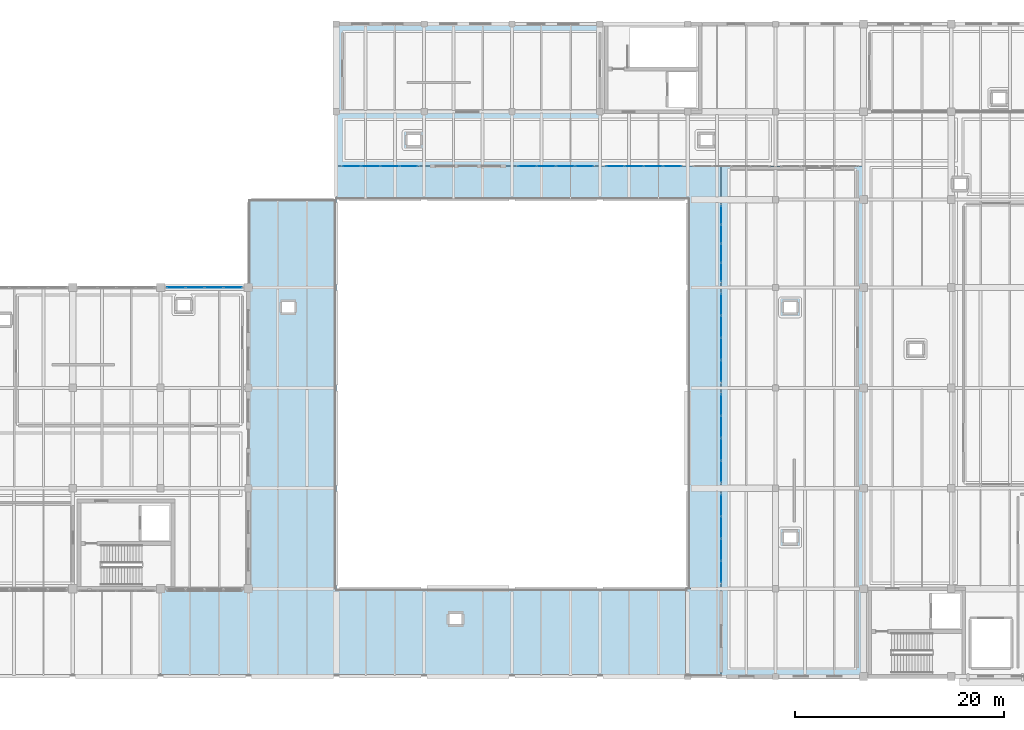
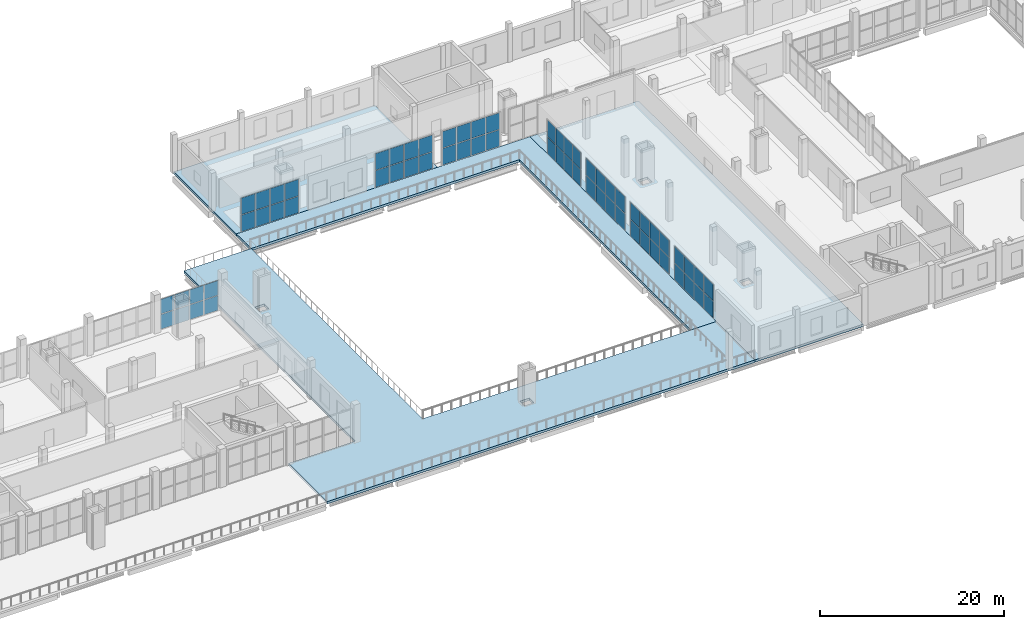
# One storey, part 53 of 77: 64 plates, 4 slabs, 8 elements without a shape of their own.
"""IFC4 building model written with IfcOpenShell, lengths in metres."""

from ifc_helpers import new_model, si_unit, direction, frame, origin, origin_2d, place, context, subcontext, project, spatial, polyline, rectangle, outline, extrude, material, layer, layer_set, type_object, element, aggregate, save


model = new_model("IFC4")

# Units and contexts
model_context = context("Model", 3, precision=1e-05, world=origin(), true_north=direction((0.0, 1.0)))
body_context = subcontext(model_context, "Body", "Model", "MODEL_VIEW")
ifc_project = project(units=[si_unit("LENGTHUNIT", "METRE"), si_unit("AREAUNIT", "SQUARE_METRE"), si_unit("VOLUMEUNIT", "CUBIC_METRE"), si_unit("PLANEANGLEUNIT", "RADIAN"), si_unit("MASSUNIT", "GRAM", prefix="KILO")], contexts=[model_context])

# Site, building, storey
site_placement = place(None, origin())
site = spatial("IfcSite", under=ifc_project, at=site_placement, CompositionType="ELEMENT")
building_placement = place(site_placement, origin())
building = spatial("IfcBuilding", under=site, at=building_placement, Name="Zulmaris Art Gallery", CompositionType="ELEMENT")
storey_placement = place(building_placement, frame((0.0, 0.0, 15.60009765625)))
storey = spatial("IfcBuildingStorey", under=building, at=storey_placement, Name="L03", CompositionType="ELEMENT", Elevation=15.60009765625)

# Curtain wall, plates
ifc_material_1 = material(Name="Unitised Low-E Gallery Curtain Wall", Category="aluminium")
ifc_layer_1 = layer(ifc_material_1, 0.179931640625)
ifc_layer_set_1 = layer_set([ifc_layer_1], Name="Unitised Low-E Gallery Curtain Wall")
curtain_wall_type = type_object("IfcCurtainWallType", Name="CW-CW01", PredefinedType="NOTDEFINED", material=ifc_layer_set_1)
curtain_wall_1_placement = place(storey_placement, origin())
curtain_wall_1 = element("IfcCurtainWall", 1, at=curtain_wall_1_placement, inside=storey, type_object=curtain_wall_type, Name="L03 curtain wall 15", PredefinedType="NOTDEFINED")
ifc_material_2 = material(Name="Triple Solar-Control Laminated Glass", Category="glass")
ifc_layer_2 = layer(ifc_material_2, 0.035888671875)
ifc_layer_set_2 = layer_set([ifc_layer_2], Name="Triple Solar-Control Laminated Glass")
plate_type = type_object("IfcPlateType", Name="CWPAN-GLZ", PredefinedType="CURTAIN_PANEL", material=ifc_layer_set_2)
plate_1_placement = place(storey_placement, frame((81.326171875, 50.39990234375, 0.074951171875), z_axis=(0.0, 0.0, 1.0), x_axis=(-1.0, 0.0, 0.0)))
plate_1 = element("IfcPlate", 2, at=plate_1_placement, type_object=plate_type, Name="CW01 panel 1.1", PredefinedType="CURTAIN_PANEL", context=body_context, shape_type="SweptSolid", body=[
    extrude(rectangle(XDim=1.717529296875, YDim=0.031982421875, at=origin_2d()), origin(), (0.0, 0.0, 1.0), 1.9423828125),
])
plate_2_placement = place(storey_placement, frame((81.326171875, 50.39990234375, 2.092529296875), z_axis=(0.0, 0.0, 1.0), x_axis=(-1.0, 0.0, 0.0)))
plate_2 = element("IfcPlate", 3, at=plate_2_placement, type_object=plate_type, Name="CW01 panel 1.2", PredefinedType="CURTAIN_PANEL", context=body_context, shape_type="SweptSolid", body=[
    extrude(rectangle(XDim=1.717529296875, YDim=0.031982421875, at=origin_2d()), origin(), (0.0, 0.0, 1.0), 1.9423828125),
])
plate_3_placement = place(storey_placement, frame((79.514892578125, 50.39990234375, 0.074951171875), z_axis=(0.0, 0.0, 1.0), x_axis=(-1.0, 0.0, 0.0)))
plate_3 = element("IfcPlate", 4, at=plate_3_placement, type_object=plate_type, Name="CW01 panel 2.1", PredefinedType="CURTAIN_PANEL", context=body_context, shape_type="SweptSolid", body=[
    extrude(rectangle(XDim=1.7548828125, YDim=0.031982421875, at=origin_2d()), origin(), (0.0, 0.0, 1.0), 1.9423828125),
])
plate_4_placement = place(storey_placement, frame((79.514892578125, 50.39990234375, 2.092529296875), z_axis=(0.0, 0.0, 1.0), x_axis=(-1.0, 0.0, 0.0)))
plate_4 = element("IfcPlate", 5, at=plate_4_placement, type_object=plate_type, Name="CW01 panel 2.2", PredefinedType="CURTAIN_PANEL", context=body_context, shape_type="SweptSolid", body=[
    extrude(rectangle(XDim=1.7548828125, YDim=0.031982421875, at=origin_2d()), origin(), (0.0, 0.0, 1.0), 1.9423828125),
])
plate_5_placement = place(storey_placement, frame((77.68505859375, 50.39990234375, 0.074951171875), z_axis=(0.0, 0.0, 1.0), x_axis=(-1.0, 0.0, 0.0)))
plate_5 = element("IfcPlate", 6, at=plate_5_placement, type_object=plate_type, Name="CW01 panel 3.1", PredefinedType="CURTAIN_PANEL", context=body_context, shape_type="SweptSolid", body=[
    extrude(rectangle(XDim=1.7548828125, YDim=0.031982421875, at=origin_2d()), origin(), (0.0, 0.0, 1.0), 1.9423828125),
])
plate_6_placement = place(storey_placement, frame((77.68505859375, 50.39990234375, 2.092529296875), z_axis=(0.0, 0.0, 1.0), x_axis=(-1.0, 0.0, 0.0)))
plate_6 = element("IfcPlate", 7, at=plate_6_placement, type_object=plate_type, Name="CW01 panel 3.2", PredefinedType="CURTAIN_PANEL", context=body_context, shape_type="SweptSolid", body=[
    extrude(rectangle(XDim=1.7548828125, YDim=0.031982421875, at=origin_2d()), origin(), (0.0, 0.0, 1.0), 1.9423828125),
])
plate_7_placement = place(storey_placement, frame((75.873779296875, 50.39990234375, 0.074951171875), z_axis=(0.0, 0.0, 1.0), x_axis=(-1.0, 0.0, 0.0)))
plate_7 = element("IfcPlate", 8, at=plate_7_placement, type_object=plate_type, Name="CW01 panel 4.1", PredefinedType="CURTAIN_PANEL", context=body_context, shape_type="SweptSolid", body=[
    extrude(rectangle(XDim=1.717529296875, YDim=0.031982421875, at=origin_2d()), origin(), (0.0, 0.0, 1.0), 1.9423828125),
])
plate_8_placement = place(storey_placement, frame((75.873779296875, 50.39990234375, 2.092529296875), z_axis=(0.0, 0.0, 1.0), x_axis=(-1.0, 0.0, 0.0)))
plate_8 = element("IfcPlate", 9, at=plate_8_placement, type_object=plate_type, Name="CW01 panel 4.2", PredefinedType="CURTAIN_PANEL", context=body_context, shape_type="SweptSolid", body=[
    extrude(rectangle(XDim=1.717529296875, YDim=0.031982421875, at=origin_2d()), origin(), (0.0, 0.0, 1.0), 1.9423828125),
])
aggregate(curtain_wall_1, [plate_1, plate_2, plate_3, plate_4, plate_5, plate_6, plate_7, plate_8])

curtain_wall_2_placement = place(storey_placement, origin())
curtain_wall_2 = element("IfcCurtainWall", 10, at=curtain_wall_2_placement, inside=storey, type_object=curtain_wall_type, Name="L03 curtain wall 114", PredefinedType="NOTDEFINED")
plate_9_placement = place(storey_placement, frame((92.673828125, 62.0, 0.074951171875), z_axis=(0.0, 0.0, 1.0), x_axis=(1.0, 0.0, 0.0)))
plate_9 = element("IfcPlate", 11, at=plate_9_placement, type_object=plate_type, Name="CW01 panel 1.1", PredefinedType="CURTAIN_PANEL", context=body_context, shape_type="SweptSolid", body=[
    extrude(rectangle(XDim=1.717529296875, YDim=0.031982421875, at=origin_2d()), origin(), (0.0, 0.0, 1.0), 2.1875),
])
plate_10_placement = place(storey_placement, frame((92.673828125, 62.0, 2.33740234375), z_axis=(0.0, 0.0, 1.0), x_axis=(1.0, 0.0, 0.0)))
plate_10 = element("IfcPlate", 12, at=plate_10_placement, type_object=plate_type, Name="CW01 panel 1.2", PredefinedType="CURTAIN_PANEL", context=body_context, shape_type="SweptSolid", body=[
    extrude(rectangle(XDim=1.717529296875, YDim=0.031982421875, at=origin_2d()), origin(), (0.0, 0.0, 1.0), 2.1875),
])
plate_11_placement = place(storey_placement, frame((94.485107421875, 62.0, 0.074951171875), z_axis=(0.0, 0.0, 1.0), x_axis=(1.0, 0.0, 0.0)))
plate_11 = element("IfcPlate", 13, at=plate_11_placement, type_object=plate_type, Name="CW01 panel 2.1", PredefinedType="CURTAIN_PANEL", context=body_context, shape_type="SweptSolid", body=[
    extrude(rectangle(XDim=1.7548828125, YDim=0.031982421875, at=origin_2d()), origin(), (0.0, 0.0, 1.0), 2.1875),
])
plate_12_placement = place(storey_placement, frame((94.485107421875, 62.0, 2.33740234375), z_axis=(0.0, 0.0, 1.0), x_axis=(1.0, 0.0, 0.0)))
plate_12 = element("IfcPlate", 14, at=plate_12_placement, type_object=plate_type, Name="CW01 panel 2.2", PredefinedType="CURTAIN_PANEL", context=body_context, shape_type="SweptSolid", body=[
    extrude(rectangle(XDim=1.7548828125, YDim=0.031982421875, at=origin_2d()), origin(), (0.0, 0.0, 1.0), 2.1875),
])
plate_13_placement = place(storey_placement, frame((96.31494140625, 62.0, 0.074951171875), z_axis=(0.0, 0.0, 1.0), x_axis=(1.0, 0.0, 0.0)))
plate_13 = element("IfcPlate", 15, at=plate_13_placement, type_object=plate_type, Name="CW01 panel 3.1", PredefinedType="CURTAIN_PANEL", context=body_context, shape_type="SweptSolid", body=[
    extrude(rectangle(XDim=1.7548828125, YDim=0.031982421875, at=origin_2d()), origin(), (0.0, 0.0, 1.0), 2.1875),
])
plate_14_placement = place(storey_placement, frame((96.31494140625, 62.0, 2.33740234375), z_axis=(0.0, 0.0, 1.0), x_axis=(1.0, 0.0, 0.0)))
plate_14 = element("IfcPlate", 16, at=plate_14_placement, type_object=plate_type, Name="CW01 panel 3.2", PredefinedType="CURTAIN_PANEL", context=body_context, shape_type="SweptSolid", body=[
    extrude(rectangle(XDim=1.7548828125, YDim=0.031982421875, at=origin_2d()), origin(), (0.0, 0.0, 1.0), 2.1875),
])
plate_15_placement = place(storey_placement, frame((98.126220703125, 62.0, 0.074951171875), z_axis=(0.0, 0.0, 1.0), x_axis=(1.0, 0.0, 0.0)))
plate_15 = element("IfcPlate", 17, at=plate_15_placement, type_object=plate_type, Name="CW01 panel 4.1", PredefinedType="CURTAIN_PANEL", context=body_context, shape_type="SweptSolid", body=[
    extrude(rectangle(XDim=1.717529296875, YDim=0.031982421875, at=origin_2d()), origin(), (0.0, 0.0, 1.0), 2.1875),
])
plate_16_placement = place(storey_placement, frame((98.126220703125, 62.0, 2.33740234375), z_axis=(0.0, 0.0, 1.0), x_axis=(1.0, 0.0, 0.0)))
plate_16 = element("IfcPlate", 18, at=plate_16_placement, type_object=plate_type, Name="CW01 panel 4.2", PredefinedType="CURTAIN_PANEL", context=body_context, shape_type="SweptSolid", body=[
    extrude(rectangle(XDim=1.717529296875, YDim=0.031982421875, at=origin_2d()), origin(), (0.0, 0.0, 1.0), 2.1875),
])
aggregate(curtain_wall_2, [plate_9, plate_10, plate_11, plate_12, plate_13, plate_14, plate_15, plate_16])

curtain_wall_3_placement = place(storey_placement, origin())
curtain_wall_3 = element("IfcCurtainWall", 19, at=curtain_wall_3_placement, inside=storey, type_object=curtain_wall_type, Name="L03 curtain wall 115", PredefinedType="NOTDEFINED")
plate_17_placement = place(storey_placement, frame((109.4736328125, 62.0, 0.074951171875), z_axis=(0.0, 0.0, 1.0), x_axis=(1.0, 0.0, 0.0)))
plate_17 = element("IfcPlate", 20, at=plate_17_placement, type_object=plate_type, Name="CW01 panel 1.1", PredefinedType="CURTAIN_PANEL", context=body_context, shape_type="SweptSolid", body=[
    extrude(rectangle(XDim=1.717529296875, YDim=0.031982421875, at=origin_2d()), origin(), (0.0, 0.0, 1.0), 2.1875),
])
plate_18_placement = place(storey_placement, frame((109.4736328125, 62.0, 2.33740234375), z_axis=(0.0, 0.0, 1.0), x_axis=(1.0, 0.0, 0.0)))
plate_18 = element("IfcPlate", 21, at=plate_18_placement, type_object=plate_type, Name="CW01 panel 1.2", PredefinedType="CURTAIN_PANEL", context=body_context, shape_type="SweptSolid", body=[
    extrude(rectangle(XDim=1.717529296875, YDim=0.031982421875, at=origin_2d()), origin(), (0.0, 0.0, 1.0), 2.1875),
])
plate_19_placement = place(storey_placement, frame((111.284912109375, 62.0, 0.074951171875), z_axis=(0.0, 0.0, 1.0), x_axis=(1.0, 0.0, 0.0)))
plate_19 = element("IfcPlate", 22, at=plate_19_placement, type_object=plate_type, Name="CW01 panel 2.1", PredefinedType="CURTAIN_PANEL", context=body_context, shape_type="SweptSolid", body=[
    extrude(rectangle(XDim=1.7548828125, YDim=0.031982421875, at=origin_2d()), origin(), (0.0, 0.0, 1.0), 2.1875),
])
plate_20_placement = place(storey_placement, frame((111.284912109375, 62.0, 2.33740234375), z_axis=(0.0, 0.0, 1.0), x_axis=(1.0, 0.0, 0.0)))
plate_20 = element("IfcPlate", 23, at=plate_20_placement, type_object=plate_type, Name="CW01 panel 2.2", PredefinedType="CURTAIN_PANEL", context=body_context, shape_type="SweptSolid", body=[
    extrude(rectangle(XDim=1.7548828125, YDim=0.031982421875, at=origin_2d()), origin(), (0.0, 0.0, 1.0), 2.1875),
])
plate_21_placement = place(storey_placement, frame((113.114990234375, 62.0, 0.074951171875), z_axis=(0.0, 0.0, 1.0), x_axis=(1.0, 0.0, 0.0)))
plate_21 = element("IfcPlate", 24, at=plate_21_placement, type_object=plate_type, Name="CW01 panel 3.1", PredefinedType="CURTAIN_PANEL", context=body_context, shape_type="SweptSolid", body=[
    extrude(rectangle(XDim=1.7548828125, YDim=0.031982421875, at=origin_2d()), origin(), (0.0, 0.0, 1.0), 2.1875),
])
plate_22_placement = place(storey_placement, frame((113.114990234375, 62.0, 2.33740234375), z_axis=(0.0, 0.0, 1.0), x_axis=(1.0, 0.0, 0.0)))
plate_22 = element("IfcPlate", 25, at=plate_22_placement, type_object=plate_type, Name="CW01 panel 3.2", PredefinedType="CURTAIN_PANEL", context=body_context, shape_type="SweptSolid", body=[
    extrude(rectangle(XDim=1.7548828125, YDim=0.031982421875, at=origin_2d()), origin(), (0.0, 0.0, 1.0), 2.1875),
])
plate_23_placement = place(storey_placement, frame((114.92626953125, 62.0, 0.074951171875), z_axis=(0.0, 0.0, 1.0), x_axis=(1.0, 0.0, 0.0)))
plate_23 = element("IfcPlate", 26, at=plate_23_placement, type_object=plate_type, Name="CW01 panel 4.1", PredefinedType="CURTAIN_PANEL", context=body_context, shape_type="SweptSolid", body=[
    extrude(rectangle(XDim=1.717529296875, YDim=0.031982421875, at=origin_2d()), origin(), (0.0, 0.0, 1.0), 2.1875),
])
plate_24_placement = place(storey_placement, frame((114.92626953125, 62.0, 2.33740234375), z_axis=(0.0, 0.0, 1.0), x_axis=(1.0, 0.0, 0.0)))
plate_24 = element("IfcPlate", 27, at=plate_24_placement, type_object=plate_type, Name="CW01 panel 4.2", PredefinedType="CURTAIN_PANEL", context=body_context, shape_type="SweptSolid", body=[
    extrude(rectangle(XDim=1.717529296875, YDim=0.031982421875, at=origin_2d()), origin(), (0.0, 0.0, 1.0), 2.1875),
])
aggregate(curtain_wall_3, [plate_17, plate_18, plate_19, plate_20, plate_21, plate_22, plate_23, plate_24])

curtain_wall_4_placement = place(storey_placement, origin())
curtain_wall_4 = element("IfcCurtainWall", 28, at=curtain_wall_4_placement, inside=storey, type_object=curtain_wall_type, Name="L03 curtain wall 116", PredefinedType="NOTDEFINED")
plate_25_placement = place(storey_placement, frame((117.873779296875, 62.0, 0.074951171875), z_axis=(0.0, 0.0, 1.0), x_axis=(1.0, 0.0, 0.0)))
plate_25 = element("IfcPlate", 29, at=plate_25_placement, type_object=plate_type, Name="CW01 panel 1.1", PredefinedType="CURTAIN_PANEL", context=body_context, shape_type="SweptSolid", body=[
    extrude(rectangle(XDim=1.717529296875, YDim=0.031982421875, at=origin_2d()), origin(), (0.0, 0.0, 1.0), 2.1875),
])
plate_26_placement = place(storey_placement, frame((117.873779296875, 62.0, 2.33740234375), z_axis=(0.0, 0.0, 1.0), x_axis=(1.0, 0.0, 0.0)))
plate_26 = element("IfcPlate", 30, at=plate_26_placement, type_object=plate_type, Name="CW01 panel 1.2", PredefinedType="CURTAIN_PANEL", context=body_context, shape_type="SweptSolid", body=[
    extrude(rectangle(XDim=1.717529296875, YDim=0.031982421875, at=origin_2d()), origin(), (0.0, 0.0, 1.0), 2.1875),
])
plate_27_placement = place(storey_placement, frame((119.68505859375, 62.0, 0.074951171875), z_axis=(0.0, 0.0, 1.0), x_axis=(1.0, 0.0, 0.0)))
plate_27 = element("IfcPlate", 31, at=plate_27_placement, type_object=plate_type, Name="CW01 panel 2.1", PredefinedType="CURTAIN_PANEL", context=body_context, shape_type="SweptSolid", body=[
    extrude(rectangle(XDim=1.7548828125, YDim=0.031982421875, at=origin_2d()), origin(), (0.0, 0.0, 1.0), 2.1875),
])
plate_28_placement = place(storey_placement, frame((119.68505859375, 62.0, 2.33740234375), z_axis=(0.0, 0.0, 1.0), x_axis=(1.0, 0.0, 0.0)))
plate_28 = element("IfcPlate", 32, at=plate_28_placement, type_object=plate_type, Name="CW01 panel 2.2", PredefinedType="CURTAIN_PANEL", context=body_context, shape_type="SweptSolid", body=[
    extrude(rectangle(XDim=1.7548828125, YDim=0.031982421875, at=origin_2d()), origin(), (0.0, 0.0, 1.0), 2.1875),
])
plate_29_placement = place(storey_placement, frame((121.514892578125, 62.0, 0.074951171875), z_axis=(0.0, 0.0, 1.0), x_axis=(1.0, 0.0, 0.0)))
plate_29 = element("IfcPlate", 33, at=plate_29_placement, type_object=plate_type, Name="CW01 panel 3.1", PredefinedType="CURTAIN_PANEL", context=body_context, shape_type="SweptSolid", body=[
    extrude(rectangle(XDim=1.7548828125, YDim=0.031982421875, at=origin_2d()), origin(), (0.0, 0.0, 1.0), 2.1875),
])
plate_30_placement = place(storey_placement, frame((121.514892578125, 62.0, 2.33740234375), z_axis=(0.0, 0.0, 1.0), x_axis=(1.0, 0.0, 0.0)))
plate_30 = element("IfcPlate", 34, at=plate_30_placement, type_object=plate_type, Name="CW01 panel 3.2", PredefinedType="CURTAIN_PANEL", context=body_context, shape_type="SweptSolid", body=[
    extrude(rectangle(XDim=1.7548828125, YDim=0.031982421875, at=origin_2d()), origin(), (0.0, 0.0, 1.0), 2.1875),
])
plate_31_placement = place(storey_placement, frame((123.326171875, 62.0, 0.074951171875), z_axis=(0.0, 0.0, 1.0), x_axis=(1.0, 0.0, 0.0)))
plate_31 = element("IfcPlate", 35, at=plate_31_placement, type_object=plate_type, Name="CW01 panel 4.1", PredefinedType="CURTAIN_PANEL", context=body_context, shape_type="SweptSolid", body=[
    extrude(rectangle(XDim=1.717529296875, YDim=0.031982421875, at=origin_2d()), origin(), (0.0, 0.0, 1.0), 2.1875),
])
plate_32_placement = place(storey_placement, frame((123.326171875, 62.0, 2.33740234375), z_axis=(0.0, 0.0, 1.0), x_axis=(1.0, 0.0, 0.0)))
plate_32 = element("IfcPlate", 36, at=plate_32_placement, type_object=plate_type, Name="CW01 panel 4.2", PredefinedType="CURTAIN_PANEL", context=body_context, shape_type="SweptSolid", body=[
    extrude(rectangle(XDim=1.717529296875, YDim=0.031982421875, at=origin_2d()), origin(), (0.0, 0.0, 1.0), 2.1875),
])
aggregate(curtain_wall_4, [plate_25, plate_26, plate_27, plate_28, plate_29, plate_30, plate_31, plate_32])

curtain_wall_5_placement = place(storey_placement, origin())
curtain_wall_5 = element("IfcCurtainWall", 37, at=curtain_wall_5_placement, inside=storey, type_object=curtain_wall_type, Name="L03 curtain wall 119", PredefinedType="NOTDEFINED")
plate_33_placement = place(storey_placement, frame((128.0, 23.2236328125, 0.074951171875), z_axis=(0.0, 0.0, 1.0), x_axis=(0.0, 1.0, 0.0)))
plate_33 = element("IfcPlate", 38, at=plate_33_placement, type_object=plate_type, Name="CW01 panel 1.1", PredefinedType="CURTAIN_PANEL", context=body_context, shape_type="SweptSolid", body=[
    extrude(rectangle(XDim=2.017578125, YDim=0.031982421875, at=origin_2d()), origin(), (0.0, 0.0, 1.0), 2.1875),
])
plate_34_placement = place(storey_placement, frame((128.0, 23.2236328125, 2.33740234375), z_axis=(0.0, 0.0, 1.0), x_axis=(0.0, 1.0, 0.0)))
plate_34 = element("IfcPlate", 39, at=plate_34_placement, type_object=plate_type, Name="CW01 panel 1.2", PredefinedType="CURTAIN_PANEL", context=body_context, shape_type="SweptSolid", body=[
    extrude(rectangle(XDim=2.017578125, YDim=0.031982421875, at=origin_2d()), origin(), (0.0, 0.0, 1.0), 2.1875),
])
plate_35_placement = place(storey_placement, frame((128.0, 25.3349609375, 0.074951171875), z_axis=(0.0, 0.0, 1.0), x_axis=(0.0, 1.0, 0.0)))
plate_35 = element("IfcPlate", 40, at=plate_35_placement, type_object=plate_type, Name="CW01 panel 2.1", PredefinedType="CURTAIN_PANEL", context=body_context, shape_type="SweptSolid", body=[
    extrude(rectangle(XDim=2.054931640625, YDim=0.031982421875, at=origin_2d()), origin(), (0.0, 0.0, 1.0), 2.1875),
])
plate_36_placement = place(storey_placement, frame((128.0, 25.3349609375, 2.33740234375), z_axis=(0.0, 0.0, 1.0), x_axis=(0.0, 1.0, 0.0)))
plate_36 = element("IfcPlate", 41, at=plate_36_placement, type_object=plate_type, Name="CW01 panel 2.2", PredefinedType="CURTAIN_PANEL", context=body_context, shape_type="SweptSolid", body=[
    extrude(rectangle(XDim=2.054931640625, YDim=0.031982421875, at=origin_2d()), origin(), (0.0, 0.0, 1.0), 2.1875),
])
plate_37_placement = place(storey_placement, frame((128.0, 27.465087890625, 0.074951171875), z_axis=(0.0, 0.0, 1.0), x_axis=(0.0, 1.0, 0.0)))
plate_37 = element("IfcPlate", 42, at=plate_37_placement, type_object=plate_type, Name="CW01 panel 3.1", PredefinedType="CURTAIN_PANEL", context=body_context, shape_type="SweptSolid", body=[
    extrude(rectangle(XDim=2.054931640625, YDim=0.031982421875, at=origin_2d()), origin(), (0.0, 0.0, 1.0), 2.1875),
])
plate_38_placement = place(storey_placement, frame((128.0, 27.465087890625, 2.33740234375), z_axis=(0.0, 0.0, 1.0), x_axis=(0.0, 1.0, 0.0)))
plate_38 = element("IfcPlate", 43, at=plate_38_placement, type_object=plate_type, Name="CW01 panel 3.2", PredefinedType="CURTAIN_PANEL", context=body_context, shape_type="SweptSolid", body=[
    extrude(rectangle(XDim=2.054931640625, YDim=0.031982421875, at=origin_2d()), origin(), (0.0, 0.0, 1.0), 2.1875),
])
plate_39_placement = place(storey_placement, frame((128.0, 29.576171875, 0.074951171875), z_axis=(0.0, 0.0, 1.0), x_axis=(0.0, 1.0, 0.0)))
plate_39 = element("IfcPlate", 44, at=plate_39_placement, type_object=plate_type, Name="CW01 panel 4.1", PredefinedType="CURTAIN_PANEL", context=body_context, shape_type="SweptSolid", body=[
    extrude(rectangle(XDim=2.017578125, YDim=0.031982421875, at=origin_2d()), origin(), (0.0, 0.0, 1.0), 2.1875),
])
plate_40_placement = place(storey_placement, frame((128.0, 29.576171875, 2.33740234375), z_axis=(0.0, 0.0, 1.0), x_axis=(0.0, 1.0, 0.0)))
plate_40 = element("IfcPlate", 45, at=plate_40_placement, type_object=plate_type, Name="CW01 panel 4.2", PredefinedType="CURTAIN_PANEL", context=body_context, shape_type="SweptSolid", body=[
    extrude(rectangle(XDim=2.017578125, YDim=0.031982421875, at=origin_2d()), origin(), (0.0, 0.0, 1.0), 2.1875),
])
aggregate(curtain_wall_5, [plate_33, plate_34, plate_35, plate_36, plate_37, plate_38, plate_39, plate_40])

curtain_wall_6_placement = place(storey_placement, origin())
curtain_wall_6 = element("IfcCurtainWall", 46, at=curtain_wall_6_placement, inside=storey, type_object=curtain_wall_type, Name="L03 curtain wall 120", PredefinedType="NOTDEFINED")
plate_41_placement = place(storey_placement, frame((128.0, 32.82373046875, 0.074951171875), z_axis=(0.0, 0.0, 1.0), x_axis=(0.0, 1.0, 0.0)))
plate_41 = element("IfcPlate", 47, at=plate_41_placement, type_object=plate_type, Name="CW01 panel 1.1", PredefinedType="CURTAIN_PANEL", context=body_context, shape_type="SweptSolid", body=[
    extrude(rectangle(XDim=2.017578125, YDim=0.031982421875, at=origin_2d()), origin(), (0.0, 0.0, 1.0), 2.1875),
])
plate_42_placement = place(storey_placement, frame((128.0, 32.82373046875, 2.33740234375), z_axis=(0.0, 0.0, 1.0), x_axis=(0.0, 1.0, 0.0)))
plate_42 = element("IfcPlate", 48, at=plate_42_placement, type_object=plate_type, Name="CW01 panel 1.2", PredefinedType="CURTAIN_PANEL", context=body_context, shape_type="SweptSolid", body=[
    extrude(rectangle(XDim=2.017578125, YDim=0.031982421875, at=origin_2d()), origin(), (0.0, 0.0, 1.0), 2.1875),
])
plate_43_placement = place(storey_placement, frame((128.0, 34.93505859375, 0.074951171875), z_axis=(0.0, 0.0, 1.0), x_axis=(0.0, 1.0, 0.0)))
plate_43 = element("IfcPlate", 49, at=plate_43_placement, type_object=plate_type, Name="CW01 panel 2.1", PredefinedType="CURTAIN_PANEL", context=body_context, shape_type="SweptSolid", body=[
    extrude(rectangle(XDim=2.054931640625, YDim=0.031982421875, at=origin_2d()), origin(), (0.0, 0.0, 1.0), 2.1875),
])
plate_44_placement = place(storey_placement, frame((128.0, 34.93505859375, 2.33740234375), z_axis=(0.0, 0.0, 1.0), x_axis=(0.0, 1.0, 0.0)))
plate_44 = element("IfcPlate", 50, at=plate_44_placement, type_object=plate_type, Name="CW01 panel 2.2", PredefinedType="CURTAIN_PANEL", context=body_context, shape_type="SweptSolid", body=[
    extrude(rectangle(XDim=2.054931640625, YDim=0.031982421875, at=origin_2d()), origin(), (0.0, 0.0, 1.0), 2.1875),
])
plate_45_placement = place(storey_placement, frame((128.0, 37.06494140625, 0.074951171875), z_axis=(0.0, 0.0, 1.0), x_axis=(0.0, 1.0, 0.0)))
plate_45 = element("IfcPlate", 51, at=plate_45_placement, type_object=plate_type, Name="CW01 panel 3.1", PredefinedType="CURTAIN_PANEL", context=body_context, shape_type="SweptSolid", body=[
    extrude(rectangle(XDim=2.054931640625, YDim=0.031982421875, at=origin_2d()), origin(), (0.0, 0.0, 1.0), 2.1875),
])
plate_46_placement = place(storey_placement, frame((128.0, 37.06494140625, 2.33740234375), z_axis=(0.0, 0.0, 1.0), x_axis=(0.0, 1.0, 0.0)))
plate_46 = element("IfcPlate", 52, at=plate_46_placement, type_object=plate_type, Name="CW01 panel 3.2", PredefinedType="CURTAIN_PANEL", context=body_context, shape_type="SweptSolid", body=[
    extrude(rectangle(XDim=2.054931640625, YDim=0.031982421875, at=origin_2d()), origin(), (0.0, 0.0, 1.0), 2.1875),
])
plate_47_placement = place(storey_placement, frame((128.0, 39.17626953125, 0.074951171875), z_axis=(0.0, 0.0, 1.0), x_axis=(0.0, 1.0, 0.0)))
plate_47 = element("IfcPlate", 53, at=plate_47_placement, type_object=plate_type, Name="CW01 panel 4.1", PredefinedType="CURTAIN_PANEL", context=body_context, shape_type="SweptSolid", body=[
    extrude(rectangle(XDim=2.017578125, YDim=0.031982421875, at=origin_2d()), origin(), (0.0, 0.0, 1.0), 2.1875),
])
plate_48_placement = place(storey_placement, frame((128.0, 39.17626953125, 2.33740234375), z_axis=(0.0, 0.0, 1.0), x_axis=(0.0, 1.0, 0.0)))
plate_48 = element("IfcPlate", 54, at=plate_48_placement, type_object=plate_type, Name="CW01 panel 4.2", PredefinedType="CURTAIN_PANEL", context=body_context, shape_type="SweptSolid", body=[
    extrude(rectangle(XDim=2.017578125, YDim=0.031982421875, at=origin_2d()), origin(), (0.0, 0.0, 1.0), 2.1875),
])
aggregate(curtain_wall_6, [plate_41, plate_42, plate_43, plate_44, plate_45, plate_46, plate_47, plate_48])

curtain_wall_7_placement = place(storey_placement, origin())
curtain_wall_7 = element("IfcCurtainWall", 55, at=curtain_wall_7_placement, inside=storey, type_object=curtain_wall_type, Name="L03 curtain wall 121", PredefinedType="NOTDEFINED")
plate_49_placement = place(storey_placement, frame((128.0, 42.423828125, 0.074951171875), z_axis=(0.0, 0.0, 1.0), x_axis=(0.0, 1.0, 0.0)))
plate_49 = element("IfcPlate", 56, at=plate_49_placement, type_object=plate_type, Name="CW01 panel 1.1", PredefinedType="CURTAIN_PANEL", context=body_context, shape_type="SweptSolid", body=[
    extrude(rectangle(XDim=2.017578125, YDim=0.031982421875, at=origin_2d()), origin(), (0.0, 0.0, 1.0), 2.1875),
])
plate_50_placement = place(storey_placement, frame((128.0, 42.423828125, 2.33740234375), z_axis=(0.0, 0.0, 1.0), x_axis=(0.0, 1.0, 0.0)))
plate_50 = element("IfcPlate", 57, at=plate_50_placement, type_object=plate_type, Name="CW01 panel 1.2", PredefinedType="CURTAIN_PANEL", context=body_context, shape_type="SweptSolid", body=[
    extrude(rectangle(XDim=2.017578125, YDim=0.031982421875, at=origin_2d()), origin(), (0.0, 0.0, 1.0), 2.1875),
])
plate_51_placement = place(storey_placement, frame((128.0, 44.534912109375, 0.074951171875), z_axis=(0.0, 0.0, 1.0), x_axis=(0.0, 1.0, 0.0)))
plate_51 = element("IfcPlate", 58, at=plate_51_placement, type_object=plate_type, Name="CW01 panel 2.1", PredefinedType="CURTAIN_PANEL", context=body_context, shape_type="SweptSolid", body=[
    extrude(rectangle(XDim=2.054931640625, YDim=0.031982421875, at=origin_2d()), origin(), (0.0, 0.0, 1.0), 2.1875),
])
plate_52_placement = place(storey_placement, frame((128.0, 44.534912109375, 2.33740234375), z_axis=(0.0, 0.0, 1.0), x_axis=(0.0, 1.0, 0.0)))
plate_52 = element("IfcPlate", 59, at=plate_52_placement, type_object=plate_type, Name="CW01 panel 2.2", PredefinedType="CURTAIN_PANEL", context=body_context, shape_type="SweptSolid", body=[
    extrude(rectangle(XDim=2.054931640625, YDim=0.031982421875, at=origin_2d()), origin(), (0.0, 0.0, 1.0), 2.1875),
])
plate_53_placement = place(storey_placement, frame((128.0, 46.6650390625, 0.074951171875), z_axis=(0.0, 0.0, 1.0), x_axis=(0.0, 1.0, 0.0)))
plate_53 = element("IfcPlate", 60, at=plate_53_placement, type_object=plate_type, Name="CW01 panel 3.1", PredefinedType="CURTAIN_PANEL", context=body_context, shape_type="SweptSolid", body=[
    extrude(rectangle(XDim=2.054931640625, YDim=0.031982421875, at=origin_2d()), origin(), (0.0, 0.0, 1.0), 2.1875),
])
plate_54_placement = place(storey_placement, frame((128.0, 46.6650390625, 2.33740234375), z_axis=(0.0, 0.0, 1.0), x_axis=(0.0, 1.0, 0.0)))
plate_54 = element("IfcPlate", 61, at=plate_54_placement, type_object=plate_type, Name="CW01 panel 3.2", PredefinedType="CURTAIN_PANEL", context=body_context, shape_type="SweptSolid", body=[
    extrude(rectangle(XDim=2.054931640625, YDim=0.031982421875, at=origin_2d()), origin(), (0.0, 0.0, 1.0), 2.1875),
])
plate_55_placement = place(storey_placement, frame((128.0, 48.7763671875, 0.074951171875), z_axis=(0.0, 0.0, 1.0), x_axis=(0.0, 1.0, 0.0)))
plate_55 = element("IfcPlate", 62, at=plate_55_placement, type_object=plate_type, Name="CW01 panel 4.1", PredefinedType="CURTAIN_PANEL", context=body_context, shape_type="SweptSolid", body=[
    extrude(rectangle(XDim=2.017578125, YDim=0.031982421875, at=origin_2d()), origin(), (0.0, 0.0, 1.0), 2.1875),
])
plate_56_placement = place(storey_placement, frame((128.0, 48.7763671875, 2.33740234375), z_axis=(0.0, 0.0, 1.0), x_axis=(0.0, 1.0, 0.0)))
plate_56 = element("IfcPlate", 63, at=plate_56_placement, type_object=plate_type, Name="CW01 panel 4.2", PredefinedType="CURTAIN_PANEL", context=body_context, shape_type="SweptSolid", body=[
    extrude(rectangle(XDim=2.017578125, YDim=0.031982421875, at=origin_2d()), origin(), (0.0, 0.0, 1.0), 2.1875),
])
aggregate(curtain_wall_7, [plate_49, plate_50, plate_51, plate_52, plate_53, plate_54, plate_55, plate_56])

curtain_wall_8_placement = place(storey_placement, origin())
curtain_wall_8 = element("IfcCurtainWall", 64, at=curtain_wall_8_placement, inside=storey, type_object=curtain_wall_type, Name="L03 curtain wall 122", PredefinedType="NOTDEFINED")
plate_57_placement = place(storey_placement, frame((128.0, 51.873779296875, 0.074951171875), z_axis=(0.0, 0.0, 1.0), x_axis=(0.0, 1.0, 0.0)))
plate_57 = element("IfcPlate", 65, at=plate_57_placement, type_object=plate_type, Name="CW01 panel 1.1", PredefinedType="CURTAIN_PANEL", context=body_context, shape_type="SweptSolid", body=[
    extrude(rectangle(XDim=1.717529296875, YDim=0.031982421875, at=origin_2d()), origin(), (0.0, 0.0, 1.0), 2.1875),
])
plate_58_placement = place(storey_placement, frame((128.0, 51.873779296875, 2.33740234375), z_axis=(0.0, 0.0, 1.0), x_axis=(0.0, 1.0, 0.0)))
plate_58 = element("IfcPlate", 66, at=plate_58_placement, type_object=plate_type, Name="CW01 panel 1.2", PredefinedType="CURTAIN_PANEL", context=body_context, shape_type="SweptSolid", body=[
    extrude(rectangle(XDim=1.717529296875, YDim=0.031982421875, at=origin_2d()), origin(), (0.0, 0.0, 1.0), 2.1875),
])
plate_59_placement = place(storey_placement, frame((128.0, 53.68505859375, 0.074951171875), z_axis=(0.0, 0.0, 1.0), x_axis=(0.0, 1.0, 0.0)))
plate_59 = element("IfcPlate", 67, at=plate_59_placement, type_object=plate_type, Name="CW01 panel 2.1", PredefinedType="CURTAIN_PANEL", context=body_context, shape_type="SweptSolid", body=[
    extrude(rectangle(XDim=1.7548828125, YDim=0.031982421875, at=origin_2d()), origin(), (0.0, 0.0, 1.0), 2.1875),
])
plate_60_placement = place(storey_placement, frame((128.0, 53.68505859375, 2.33740234375), z_axis=(0.0, 0.0, 1.0), x_axis=(0.0, 1.0, 0.0)))
plate_60 = element("IfcPlate", 68, at=plate_60_placement, type_object=plate_type, Name="CW01 panel 2.2", PredefinedType="CURTAIN_PANEL", context=body_context, shape_type="SweptSolid", body=[
    extrude(rectangle(XDim=1.7548828125, YDim=0.031982421875, at=origin_2d()), origin(), (0.0, 0.0, 1.0), 2.1875),
])
plate_61_placement = place(storey_placement, frame((128.0, 55.514892578125, 0.074951171875), z_axis=(0.0, 0.0, 1.0), x_axis=(0.0, 1.0, 0.0)))
plate_61 = element("IfcPlate", 69, at=plate_61_placement, type_object=plate_type, Name="CW01 panel 3.1", PredefinedType="CURTAIN_PANEL", context=body_context, shape_type="SweptSolid", body=[
    extrude(rectangle(XDim=1.7548828125, YDim=0.031982421875, at=origin_2d()), origin(), (0.0, 0.0, 1.0), 2.1875),
])
plate_62_placement = place(storey_placement, frame((128.0, 55.514892578125, 2.33740234375), z_axis=(0.0, 0.0, 1.0), x_axis=(0.0, 1.0, 0.0)))
plate_62 = element("IfcPlate", 70, at=plate_62_placement, type_object=plate_type, Name="CW01 panel 3.2", PredefinedType="CURTAIN_PANEL", context=body_context, shape_type="SweptSolid", body=[
    extrude(rectangle(XDim=1.7548828125, YDim=0.031982421875, at=origin_2d()), origin(), (0.0, 0.0, 1.0), 2.1875),
])
plate_63_placement = place(storey_placement, frame((128.0, 57.326171875, 0.074951171875), z_axis=(0.0, 0.0, 1.0), x_axis=(0.0, 1.0, 0.0)))
plate_63 = element("IfcPlate", 71, at=plate_63_placement, type_object=plate_type, Name="CW01 panel 4.1", PredefinedType="CURTAIN_PANEL", context=body_context, shape_type="SweptSolid", body=[
    extrude(rectangle(XDim=1.717529296875, YDim=0.031982421875, at=origin_2d()), origin(), (0.0, 0.0, 1.0), 2.1875),
])
plate_64_placement = place(storey_placement, frame((128.0, 57.326171875, 2.33740234375), z_axis=(0.0, 0.0, 1.0), x_axis=(0.0, 1.0, 0.0)))
plate_64 = element("IfcPlate", 72, at=plate_64_placement, type_object=plate_type, Name="CW01 panel 4.2", PredefinedType="CURTAIN_PANEL", context=body_context, shape_type="SweptSolid", body=[
    extrude(rectangle(XDim=1.717529296875, YDim=0.031982421875, at=origin_2d()), origin(), (0.0, 0.0, 1.0), 2.1875),
])
aggregate(curtain_wall_8, [plate_57, plate_58, plate_59, plate_60, plate_61, plate_62, plate_63, plate_64])

# Slabs
ifc_material_3 = material(Name="Concrete C40/50", Category="concrete")
ifc_layer_3 = layer(ifc_material_3, 0.31005859375)
ifc_layer_set_3 = layer_set([ifc_layer_3], Name="Concrete C40/50")
slab_type_1 = type_object("IfcSlabType", Name="SLAB-SL-FL03", PredefinedType="FLOOR", material=ifc_layer_set_3)
slab_1_placement = place(storey_placement, frame((0.0, 0.0, -0.31005859375)))
element("IfcSlab", 73, at=slab_1_placement, inside=storey, type_object=slab_type_1, Name="L03 V4-NW-STEP slab", PredefinedType="FLOOR", context=body_context, shape_type="SweptSolid", body=[
    extrude(outline(polyline([(91.199951171875, 62.0), (91.199951171875, 75.60009765625), (116.39990234375, 75.60009765625), (116.39990234375, 62.0), (91.199951171875, 62.0)]), holes=[polyline([(99.199951171875, 64.0), (99.199951171875, 65.0), (98.0, 65.0), (98.0, 64.0), (99.199951171875, 64.0)])]), origin(), (0.0, 0.0, 1.0), 0.31005859375),
])
slab_2_placement = place(storey_placement, frame((0.0, 0.0, -0.31005859375)))
element("IfcSlab", 74, at=slab_2_placement, inside=storey, type_object=slab_type_1, Name="L03 V4-E-STEP slab", PredefinedType="FLOOR", context=body_context, shape_type="SweptSolid", body=[
    extrude(outline(polyline([(128.0, 13.199951171875), (128.0, 62.0), (141.60009765625, 62.0), (141.60009765625, 13.199951171875), (128.0, 13.199951171875)]), holes=[polyline([(135.199951171875, 26.0), (135.199951171875, 27.0), (134.0, 27.0), (134.0, 26.0), (135.199951171875, 26.0)]), polyline([(135.199951171875, 48.0), (135.199951171875, 49.0), (134.0, 49.0), (134.0, 48.0), (135.199951171875, 48.0)])]), origin(), (0.0, 0.0, 1.0), 0.31005859375),
])
ifc_layer_4 = layer(ifc_material_3, 0.320068359375)
ifc_layer_set_4 = layer_set([ifc_layer_4], Name="Concrete C40/50")
slab_type_2 = type_object("IfcSlabType", Name="SLAB-SL-TER02", PredefinedType="ROOF", material=ifc_layer_set_4)
slab_3_placement = place(storey_placement, frame((0.0, 0.0, -0.320068359375)))
element("IfcSlab", 75, at=slab_3_placement, inside=storey, type_object=slab_type_2, Name="L03 V2-ROOF-E slab", PredefinedType="ROOF", context=body_context, shape_type="SweptSolid", body=[
    extrude(outline(polyline([(74.39990234375, 21.60009765625), (82.800048828125, 21.60009765625), (82.800048828125, 58.800048828125), (91.199951171875, 58.800048828125), (91.199951171875, 21.60009765625), (124.800048828125, 21.60009765625), (128.0, 21.60009765625), (128.0, 13.199951171875), (124.800048828125, 13.199951171875), (74.39990234375, 13.199951171875), (74.39990234375, 21.60009765625)]), holes=[polyline([(103.199951171875, 18.199951171875), (103.199951171875, 19.199951171875), (102.0, 19.199951171875), (102.0, 18.199951171875), (103.199951171875, 18.199951171875)]), polyline([(87.199951171875, 49.0), (86.0, 49.0), (86.0, 48.0), (87.199951171875, 48.0), (87.199951171875, 49.0)])]), origin(), (0.0, 0.0, 1.0), 0.320068359375),
])
slab_4_placement = place(storey_placement, frame((0.0, 0.0, -0.320068359375)))
element("IfcSlab", 76, at=slab_4_placement, inside=storey, type_object=slab_type_2, Name="L03 V4-TER-STEP slab", PredefinedType="ROOF", context=body_context, shape_type="SweptSolid", body=[
    extrude(outline(polyline([(91.199951171875, 62.0), (128.0, 62.0), (128.0, 58.800048828125), (128.0, 21.60009765625), (124.800048828125, 21.60009765625), (124.800048828125, 58.800048828125), (91.199951171875, 58.800048828125), (91.199951171875, 62.0)])), origin(), (0.0, 0.0, 1.0), 0.320068359375),
])

save(model, "model.ifc")
